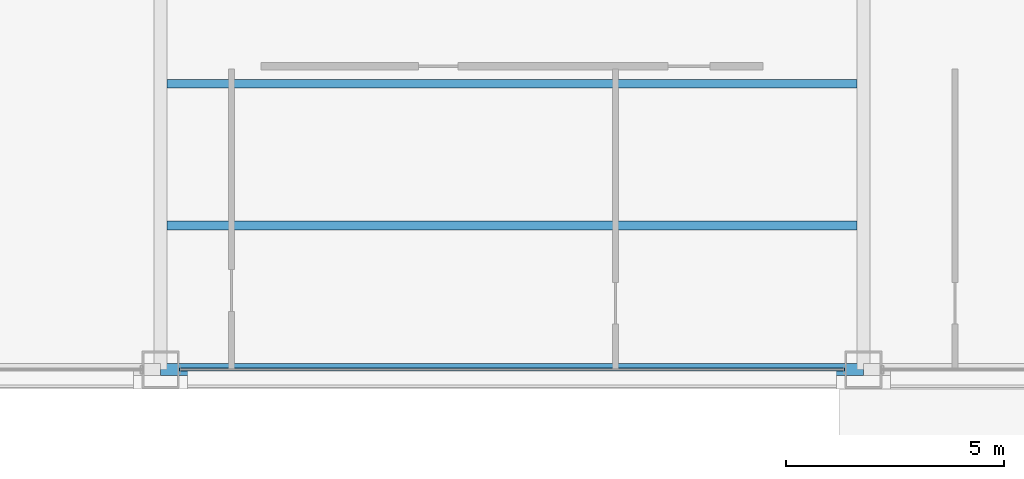
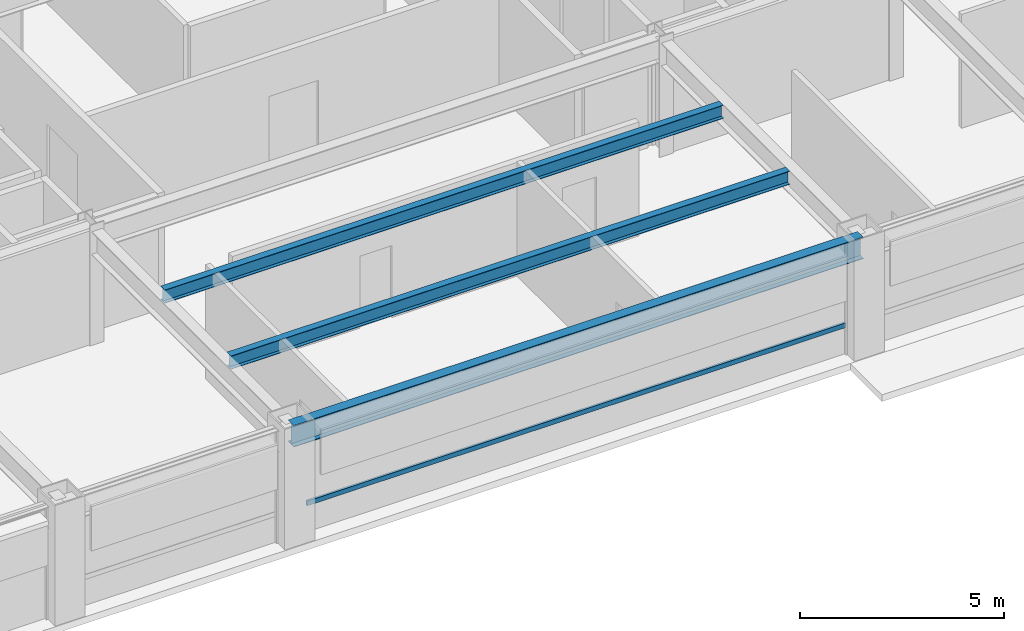
# One storey, part 7 of 34: 3 beams, 1 member, 1 element without a shape of its own.
"""IFC4 building model written with IfcOpenShell, lengths in metres."""

from ifc_helpers import new_model, si_unit, direction, frame, origin, origin_2d, place, context, subcontext, project, spatial, hollow_rectangle, i_section, extrude, material, layer, layer_set, material_profile, profile_set, type_object, element, aggregate, save


model = new_model("IFC4")

# Units and contexts
model_context = context("Model", 3, precision=1e-05, world=origin(), true_north=direction((0.0, 1.0)))
body_context = subcontext(model_context, "Body", "Model", "MODEL_VIEW")
ifc_project = project(units=[si_unit("LENGTHUNIT", "METRE"), si_unit("AREAUNIT", "SQUARE_METRE"), si_unit("VOLUMEUNIT", "CUBIC_METRE"), si_unit("PLANEANGLEUNIT", "RADIAN"), si_unit("MASSUNIT", "GRAM", prefix="KILO")], contexts=[model_context])

# Site, building, storey
site_placement = place(None, origin())
site = spatial("IfcSite", under=ifc_project, at=site_placement, CompositionType="ELEMENT")
building_placement = place(site_placement, origin())
building = spatial("IfcBuilding", under=site, at=building_placement, Name="Brelmoor Portico Tower", CompositionType="ELEMENT")
storey_placement = place(building_placement, frame((0.0, 0.0, 117.0)))
storey = spatial("IfcBuildingStorey", under=building, at=storey_placement, Name="L30", CompositionType="ELEMENT", Elevation=117.0)

# Beams
ifc_material_1 = material(Name="Steel Q355B", Category="steel")
ifc_material_profile_1 = material_profile(ifc_material_1, i_section(OverallWidth=0.199951171875, OverallDepth=0.39990234375, WebThickness=0.008056640625, FlangeThickness=0.012939453125, at=origin_2d()), Name="HN 400x200x8x13")
ifc_profile_set_1 = profile_set([ifc_material_profile_1], Name="Steel Q355B")
beam_type_1 = type_object("IfcBeamType", Name="BM-JS-400", PredefinedType="JOIST", material=ifc_profile_set_1)
for number, where, z_axis, x_axis, name in (
    (1, (-7.89990234375, -16.25, 3.199951171875), (1.0, 0.0, 0.0), (0.0, 1.0, 0.0), "L30 Secondary Composite Joist JS-C01"),
    (2, (-7.89990234375, -13.0, 3.199951171875), (1.0, 0.0, 0.0), (0.0, 1.0, 0.0), "L30 Secondary Composite Joist JS-C02"),
):
    element("IfcBeam", number, at=place(storey_placement, frame(where, z_axis=z_axis, x_axis=x_axis)), inside=storey, type_object=beam_type_1, Name=name, PredefinedType="JOIST", context=body_context, shape_type="SweptSolid", body=[
        extrude(i_section(OverallWidth=0.199951171875, OverallDepth=0.39990234375, WebThickness=0.008056640625, FlangeThickness=0.012939453125, at=origin_2d()), origin(), (0.0, 0.0, 1.0), 15.7998046875),
    ])
ifc_material_profile_2 = material_profile(ifc_material_1, i_section(OverallWidth=0.280029296875, OverallDepth=0.64990234375, WebThickness=0.012939453125, FlangeThickness=0.02197265625, at=origin_2d()), Name="HN 650x280x13x22")
ifc_profile_set_2 = profile_set([ifc_material_profile_2], Name="Steel Q355B")
beam_type_2 = type_object("IfcBeamType", Name="BM-SP-650", PredefinedType="SPANDREL", material=ifc_profile_set_2)
beam_placement = place(storey_placement, frame((-8.050048828125, -19.550048828125, 3.074951171875), z_axis=(1.0, 0.0, 0.0), x_axis=(0.0, 1.0, 0.0)))
element("IfcBeam", 3, at=beam_placement, inside=storey, type_object=beam_type_2, Name="L30 Perimeter Spandrel Beam SP-03", PredefinedType="SPANDREL", context=body_context, shape_type="SweptSolid", body=[
    extrude(i_section(OverallWidth=0.280029296875, OverallDepth=0.64990234375, WebThickness=0.012939453125, FlangeThickness=0.02197265625, at=origin_2d()), origin(), (0.0, 0.0, 1.0), 16.10009765625),
])

# Curtain wall, member
ifc_material_2 = material(Name="Anodised Aluminium Alloy 6063-T6", Category="aluminium")
ifc_layer = layer(ifc_material_2, 0.179931640625)
ifc_layer_set = layer_set([ifc_layer], Name="Anodised Aluminium Alloy 6063-T6")
curtain_wall_type = type_object("IfcCurtainWallType", Name="CW-TOWER-Z2", PredefinedType="NOTDEFINED", material=ifc_layer_set)
curtain_wall_placement = place(storey_placement, origin())
curtain_wall = element("IfcCurtainWall", 4, at=curtain_wall_placement, inside=storey, type_object=curtain_wall_type, Name="L30 Curtain Wall CW-L30-01-3", PredefinedType="NOTDEFINED")
ifc_material_profile_3 = material_profile(ifc_material_2, hollow_rectangle(XDim=0.06494140625, YDim=0.139892578125, WallThickness=0.00390625, at=origin_2d()), Name="ALU TRANSOM 65x140")
ifc_profile_set_3 = profile_set([ifc_material_profile_3], Name="Anodised Aluminium Alloy 6063-T6")
member_type = type_object("IfcMemberType", Name="MB-CW-TRAN-140", PredefinedType="USERDEFINED", material=ifc_profile_set_3)
member_placement = place(storey_placement, frame((-7.614990234375, -19.550048828125, 0.85009765625), z_axis=(1.0, 0.0, 0.0), x_axis=(0.0, 1.0, 0.0)))
member = element("IfcMember", 5, at=member_placement, type_object=member_type, Name="CW-L30-01-3 Transom 1-00", ObjectType="TRANSOM", PredefinedType="USERDEFINED", context=body_context, shape_type="SweptSolid", body=[
    extrude(hollow_rectangle(XDim=0.06494140625, YDim=0.139892578125, WallThickness=0.00390625, at=origin_2d()), origin(), (0.0, 0.0, 1.0), 15.22998046875),
])
aggregate(curtain_wall, [member])

save(model, "model.ifc")
